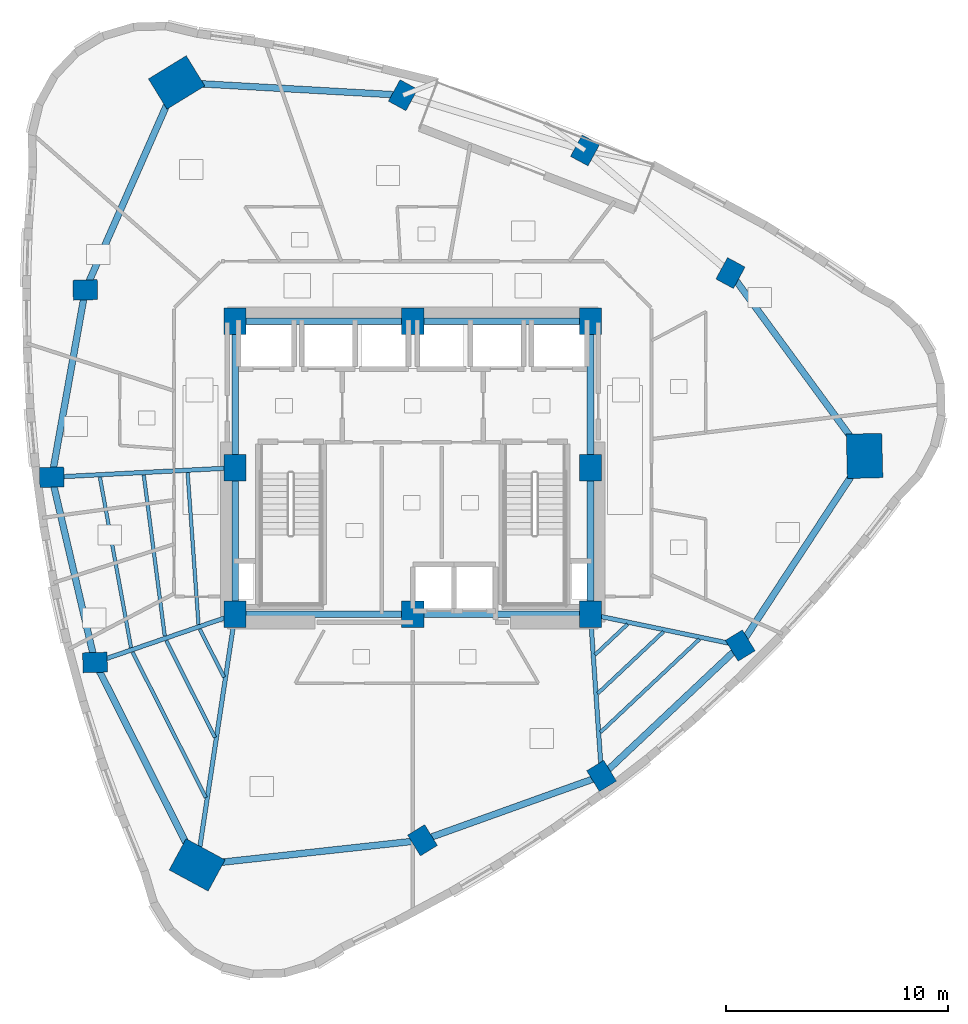
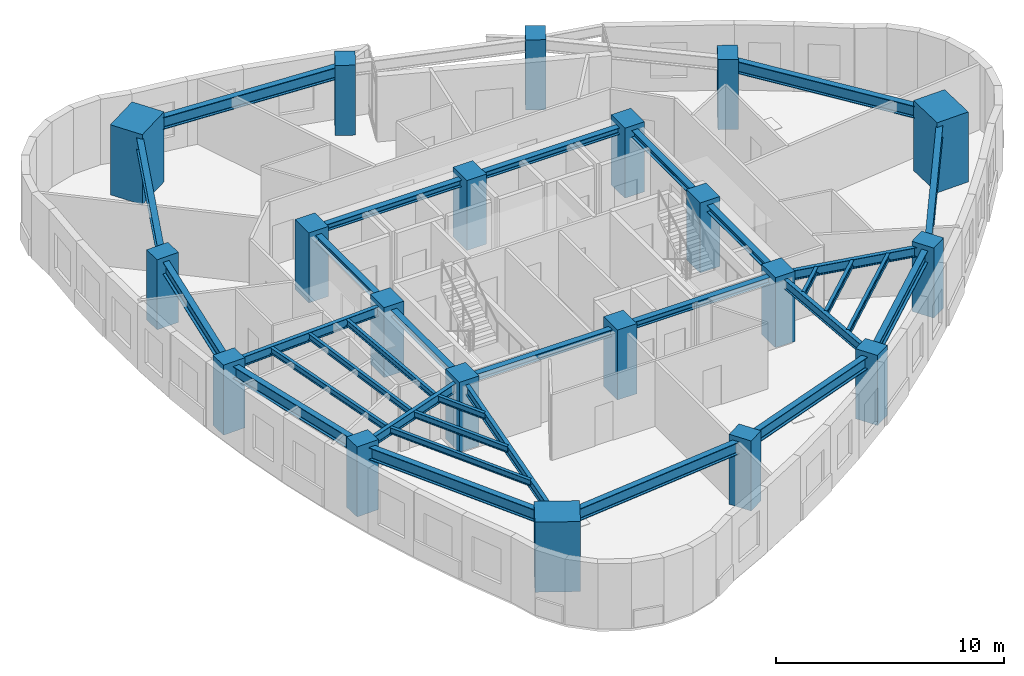
# One storey, part 1 of 12: 32 beams, 20 columns.
"""IFC4 building model written with IfcOpenShell, lengths in metres."""

from ifc_helpers import new_model, si_unit, direction, frame, origin, origin_2d, place, context, subcontext, project, spatial, rectangle, i_section, extrude, material, material_profile, profile_set, type_object, element, save


model = new_model("IFC4")

# Units and contexts
model_context = context("Model", 3, precision=1e-05, world=origin(), true_north=direction((0.0, 1.0)))
body_context = subcontext(model_context, "Body", "Model", "MODEL_VIEW")
ifc_project = project(units=[si_unit("LENGTHUNIT", "METRE"), si_unit("AREAUNIT", "SQUARE_METRE"), si_unit("VOLUMEUNIT", "CUBIC_METRE"), si_unit("PLANEANGLEUNIT", "RADIAN"), si_unit("MASSUNIT", "GRAM", prefix="KILO")], contexts=[model_context])

# Site, building, storey
site_placement = place(None, origin())
site = spatial("IfcSite", under=ifc_project, at=site_placement, CompositionType="ELEMENT")
building_placement = place(site_placement, origin())
building = spatial("IfcBuilding", under=site, at=building_placement, Name="Ndelora Gate Hotel", CompositionType="ELEMENT")
storey_placement = place(building_placement, frame((0.0, 0.0, 153.5)))
storey = spatial("IfcBuildingStorey", under=building, at=storey_placement, Name="L38", CompositionType="ELEMENT", Elevation=153.5)

# Columns
ifc_material_1 = material(Name="Concrete C60/75", Category="concrete")
ifc_material_profile_1 = material_profile(ifc_material_1, rectangle(XDim=1.0, YDim=1.199951171875, at=origin_2d()), Name="RC 1200x1000")
ifc_profile_set_1 = profile_set([ifc_material_profile_1], Name="Concrete C60/75")
column_type_1 = type_object("IfcColumnType", Name="COL-CC-MID", PredefinedType="COLUMN", material=ifc_profile_set_1)
for number, where, z_axis, x_axis, name in (
    (1, (-8.0, -6.60009765625, 0.0), (0.0, 0.0, 1.0), (1.0, 0.0, 0.0), "L38 Core Column CC1"),
    (2, (0.0, -6.60009765625, 0.0), (0.0, 0.0, 1.0), (1.0, 0.0, 0.0), "L38 Core Column CC2"),
    (3, (8.0, -6.60009765625, 0.0), (0.0, 0.0, 1.0), (1.0, 0.0, 0.0), "L38 Core Column CC3"),
    (4, (8.0, 0.0, 0.0), (0.0, 0.0, 1.0), (1.0, 0.0, 0.0), "L38 Core Column CC4"),
    (5, (8.0, 6.60009765625, 0.0), (0.0, 0.0, 1.0), (1.0, 0.0, 0.0), "L38 Core Column CC5"),
    (6, (0.0, 6.60009765625, 0.0), (0.0, 0.0, 1.0), (1.0, 0.0, 0.0), "L38 Core Column CC6"),
    (7, (-8.0, 6.60009765625, 0.0), (0.0, 0.0, 1.0), (1.0, 0.0, 0.0), "L38 Core Column CC7"),
    (8, (-8.0, 0.0, 0.0), (0.0, 0.0, 1.0), (1.0, 0.0, 0.0), "L38 Core Column CC8"),
):
    element("IfcColumn", number, at=place(storey_placement, frame(where, z_axis=z_axis, x_axis=x_axis)), inside=storey, type_object=column_type_1, Name=name, PredefinedType="COLUMN", context=body_context, shape_type="SweptSolid", body=[
        extrude(rectangle(XDim=1.0, YDim=1.199951171875, at=origin_2d()), origin(), (0.0, 0.0, 1.0), 3.75),
    ])
ifc_material_profile_2 = material_profile(ifc_material_1, rectangle(XDim=1.60009765625, YDim=2.0, at=origin_2d()), Name="RC 2000x1600")
ifc_profile_set_2 = profile_set([ifc_material_profile_2], Name="Concrete C60/75")
column_type_2 = type_object("IfcColumnType", Name="COL-MC-Z2", PredefinedType="COLUMN", material=ifc_profile_set_2)
for number, where, z_axis, x_axis, name in (
    (9, (-10.63330078125, 17.351806640625, 0.0), (0.0, 0.0, 1.0), (-0.522498564716, 0.852640164354, 0.0), "L38 Corner Mega-Column R1"),
    (10, (-9.71044921875, -17.884521484375, 0.0), (0.0, 0.0, 1.0), (0.47715876026, 0.878817112662, 0.0), "L38 Corner Mega-Column R5"),
    (11, (20.34375, 0.53271484375, 0.0), (0.0, 0.0, 1.0), (0.999657324976, 0.026176948308, 0.0), "L38 Corner Mega-Column R9"),
):
    element("IfcColumn", number, at=place(storey_placement, frame(where, z_axis=z_axis, x_axis=x_axis)), inside=storey, type_object=column_type_2, Name=name, PredefinedType="COLUMN", context=body_context, shape_type="SweptSolid", body=[
        extrude(rectangle(XDim=1.60009765625, YDim=2.0, at=origin_2d()), origin(), (0.0, 0.0, 1.0), 3.75),
    ])
ifc_material_profile_3 = material_profile(ifc_material_1, rectangle(XDim=0.89990234375, YDim=1.10009765625, at=origin_2d()), Name="RC 1100x900")
ifc_profile_set_3 = profile_set([ifc_material_profile_3], Name="Concrete C60/75")
column_type_3 = type_object("IfcColumnType", Name="COL-PT-Z2", PredefinedType="COLUMN", material=ifc_profile_set_3)
for number, where, z_axis, x_axis, name in (
    (12, (-14.74658203125, 8.006591796875, 0.0), (0.0, 0.0, 1.0), (-0.026176948308, 0.999657324976, 0.0), "L38 Perimeter Tube Column R2"),
    (13, (-16.25537109375, -0.42578125, 0.0), (0.0, 0.0, 1.0), (-0.026176948308, 0.999657324976, 0.0), "L38 Perimeter Tube Column R3"),
    (14, (-14.307373046875, -8.767578125, 0.0), (0.0, 0.0, 1.0), (-0.026176948308, 0.999657324976, 0.0), "L38 Perimeter Tube Column R4"),
    (15, (0.439208984375, -16.7744140625, 0.0), (0.0, 0.0, 1.0), (0.852640164354, 0.522498564716, 0.0), "L38 Perimeter Tube Column R6"),
    (16, (8.50439453125, -13.878173828125, 0.0), (0.0, 0.0, 1.0), (0.852640164354, 0.522498564716, 0.0), "L38 Perimeter Tube Column R7"),
    (17, (14.74658203125, -8.006591796875, 0.0), (0.0, 0.0, 1.0), (0.852640164354, 0.522498564716, 0.0), "L38 Perimeter Tube Column R8"),
    (18, (14.30712890625, 8.767333984375, 0.0), (0.0, 0.0, 1.0), (-0.878817112662, 0.47715876026, 0.0), "L38 Perimeter Tube Column R10"),
    (19, (7.759033203125, 14.290283203125, 0.0), (0.0, 0.0, 1.0), (-0.878817112662, 0.47715876026, 0.0), "L38 Perimeter Tube Column R11"),
    (20, (-0.439208984375, 16.7744140625, 0.0), (0.0, 0.0, 1.0), (-0.878817112662, 0.47715876026, 0.0), "L38 Perimeter Tube Column R12"),
):
    element("IfcColumn", number, at=place(storey_placement, frame(where, z_axis=z_axis, x_axis=x_axis)), inside=storey, type_object=column_type_3, Name=name, PredefinedType="COLUMN", context=body_context, shape_type="SweptSolid", body=[
        extrude(rectangle(XDim=0.89990234375, YDim=1.10009765625, at=origin_2d()), origin(), (0.0, 0.0, 1.0), 3.75),
    ])

# Beams
ifc_material_2 = material(Name="Steel S355", Category="steel")
ifc_material_profile_4 = material_profile(ifc_material_2, i_section(OverallWidth=0.300048828125, OverallDepth=0.360107421875, WebThickness=0.012451171875, FlangeThickness=0.0224609375, FilletRadius=0.027099609375, at=origin_2d()), Name="HEB 360")
ifc_profile_set_4 = profile_set([ifc_material_profile_4], Name="Steel S355")
beam_type_1 = type_object("IfcBeamType", Name="BM-CORE-360", PredefinedType="BEAM", material=ifc_profile_set_4)
for number, where, z_axis, x_axis, name in (
    (21, (-8.0, 6.60009765625, 3.320068359375), (1.0, 0.0, 0.0), (0.0, 1.0, 0.0), "L38 Core Tie Girder CC7-CC6"),
    (22, (0.0, 6.60009765625, 3.320068359375), (1.0, 0.0, 0.0), (0.0, 1.0, 0.0), "L38 Core Tie Girder CC6-CC5"),
):
    element("IfcBeam", number, at=place(storey_placement, frame(where, z_axis=z_axis, x_axis=x_axis)), inside=storey, type_object=beam_type_1, Name=name, PredefinedType="BEAM", context=body_context, shape_type="SweptSolid", body=[
        extrude(i_section(OverallWidth=0.300048828125, OverallDepth=0.360107421875, WebThickness=0.012451171875, FlangeThickness=0.0224609375, FilletRadius=0.027099609375, at=origin_2d()), origin(), (0.0, 0.0, 1.0), 8.0),
    ])
for number, where, z_axis, x_axis, name in (
    (23, (-8.0, -6.60009765625, 3.320068359375), (0.0, 1.0, 0.0), (-1.0, 0.0, 0.0), "L38 Core Tie Girder CC1-CC8"),
    (24, (-8.0, 0.0, 3.320068359375), (0.0, 1.0, 0.0), (-1.0, 0.0, 0.0), "L38 Core Tie Girder CC8-CC7"),
    (25, (8.0, -6.60009765625, 3.320068359375), (0.0, 1.0, 0.0), (-1.0, 0.0, 0.0), "L38 Core Tie Girder CC3-CC4"),
    (26, (8.0, 0.0, 3.320068359375), (0.0, 1.0, 0.0), (-1.0, 0.0, 0.0), "L38 Core Tie Girder CC4-CC5"),
):
    element("IfcBeam", number, at=place(storey_placement, frame(where, z_axis=z_axis, x_axis=x_axis)), inside=storey, type_object=beam_type_1, Name=name, PredefinedType="BEAM", context=body_context, shape_type="SweptSolid", body=[
        extrude(i_section(OverallWidth=0.300048828125, OverallDepth=0.360107421875, WebThickness=0.012451171875, FlangeThickness=0.0224609375, FilletRadius=0.027099609375, at=origin_2d()), origin(), (0.0, 0.0, 1.0), 6.60009765625),
    ])
for number, where, z_axis, x_axis, name in (
    (27, (-8.0, -6.60009765625, 3.320068359375), (1.0, 0.0, 0.0), (0.0, 1.0, 0.0), "L38 Core Tie Girder CC1-CC2"),
    (28, (0.0, -6.60009765625, 3.320068359375), (1.0, 0.0, 0.0), (0.0, 1.0, 0.0), "L38 Core Tie Girder CC2-CC3"),
):
    element("IfcBeam", number, at=place(storey_placement, frame(where, z_axis=z_axis, x_axis=x_axis)), inside=storey, type_object=beam_type_1, Name=name, PredefinedType="BEAM", context=body_context, shape_type="SweptSolid", body=[
        extrude(i_section(OverallWidth=0.300048828125, OverallDepth=0.360107421875, WebThickness=0.012451171875, FlangeThickness=0.0224609375, FilletRadius=0.027099609375, at=origin_2d()), origin(), (0.0, 0.0, 1.0), 8.0),
    ])
ifc_material_profile_5 = material_profile(ifc_material_2, i_section(OverallWidth=0.159912109375, OverallDepth=0.330078125, WebThickness=0.007568359375, FlangeThickness=0.011474609375, FilletRadius=0.01806640625, at=origin_2d()), Name="IPE 330")
ifc_profile_set_5 = profile_set([ifc_material_profile_5], Name="Steel S355")
beam_type_2 = type_object("IfcBeamType", Name="BM-JST-330", PredefinedType="JOIST", material=ifc_profile_set_5)
beam_1_placement = place(storey_placement, frame((-10.138427734375, -0.220458984375, 3.3349609375), z_axis=(0.07162945927, -0.997431311201, 0.0), x_axis=(0.997431311201, 0.07162945927, 0.0)))
element("IfcBeam", 29, at=beam_1_placement, inside=storey, type_object=beam_type_2, Name="L38 Secondary Composite Floor Joist IN-3", PredefinedType="JOIST", context=body_context, shape_type="SweptSolid", body=[
    extrude(i_section(OverallWidth=0.159912109375, OverallDepth=0.330078125, WebThickness=0.007568359375, FlangeThickness=0.011474609375, FilletRadius=0.01806640625, at=origin_2d()), origin(), (0.0, 0.0, 1.0), 6.850830078125),
])
beam_2_placement = place(storey_placement, frame((-12.113525390625, -0.322021484375, 3.3349609375), z_axis=(0.12927924943, -0.991608226906, 0.0), x_axis=(0.991608226906, 0.12927924943, 0.0)))
element("IfcBeam", 30, at=beam_2_placement, inside=storey, type_object=beam_type_2, Name="L38 Secondary Composite Floor Joist MID-3", PredefinedType="JOIST", context=body_context, shape_type="SweptSolid", body=[
    extrude(i_section(OverallWidth=0.159912109375, OverallDepth=0.330078125, WebThickness=0.007568359375, FlangeThickness=0.011474609375, FilletRadius=0.01806640625, at=origin_2d()), origin(), (0.0, 0.0, 1.0), 7.31396484375),
])
beam_3_placement = place(storey_placement, frame((-14.089111328125, -0.423095703125, 3.3349609375), z_axis=(0.179733770179, -0.983715290039, 0.0), x_axis=(0.983715290039, 0.179733770179, 0.0)))
element("IfcBeam", 31, at=beam_3_placement, inside=storey, type_object=beam_type_2, Name="L38 Secondary Composite Floor Joist OUT-3", PredefinedType="JOIST", context=body_context, shape_type="SweptSolid", body=[
    extrude(i_section(OverallWidth=0.159912109375, OverallDepth=0.330078125, WebThickness=0.007568359375, FlangeThickness=0.011474609375, FilletRadius=0.01806640625, at=origin_2d()), origin(), (0.0, 0.0, 1.0), 7.799560546875),
])
beam_4_placement = place(storey_placement, frame((-9.59033203125, -7.26171875, 3.3349609375), z_axis=(0.450139260243, -0.892958367668, 0.0), x_axis=(0.892958367668, 0.450139260243, 0.0)))
element("IfcBeam", 32, at=beam_4_placement, inside=storey, type_object=beam_type_2, Name="L38 Secondary Composite Floor Joist IN-4", PredefinedType="JOIST", context=body_context, shape_type="SweptSolid", body=[
    extrude(i_section(OverallWidth=0.159912109375, OverallDepth=0.330078125, WebThickness=0.007568359375, FlangeThickness=0.011474609375, FilletRadius=0.01806640625, at=origin_2d()), origin(), (0.0, 0.0, 1.0), 2.4345703125),
])
beam_5_placement = place(storey_placement, frame((-11.10400390625, -7.781982421875, 3.3349609375), z_axis=(0.450189724408, -0.892932926953, 0.0), x_axis=(0.892932926953, 0.450189724408, 0.0)))
element("IfcBeam", 33, at=beam_5_placement, inside=storey, type_object=beam_type_2, Name="L38 Secondary Composite Floor Joist MID-4", PredefinedType="JOIST", context=body_context, shape_type="SweptSolid", body=[
    extrude(i_section(OverallWidth=0.159912109375, OverallDepth=0.330078125, WebThickness=0.007568359375, FlangeThickness=0.011474609375, FilletRadius=0.01806640625, at=origin_2d()), origin(), (0.0, 0.0, 1.0), 4.885009765625),
])
beam_6_placement = place(storey_placement, frame((-12.617919921875, -8.30224609375, 3.3349609375), z_axis=(0.45023300903, -0.892911102843, 0.0), x_axis=(0.892911102843, 0.45023300903, 0.0)))
element("IfcBeam", 34, at=beam_6_placement, inside=storey, type_object=beam_type_2, Name="L38 Secondary Composite Floor Joist OUT-4", PredefinedType="JOIST", context=body_context, shape_type="SweptSolid", body=[
    extrude(i_section(OverallWidth=0.159912109375, OverallDepth=0.330078125, WebThickness=0.007568359375, FlangeThickness=0.011474609375, FilletRadius=0.01806640625, at=origin_2d()), origin(), (0.0, 0.0, 1.0), 7.335693359375),
])
beam_7_placement = place(storey_placement, frame((8.211181640625, -8.4169921875, 3.3349609375), z_axis=(0.728414088998, 0.685137150466, 0.0), x_axis=(-0.685137150466, 0.728414088998, 0.0)))
element("IfcBeam", 35, at=beam_7_placement, inside=storey, type_object=beam_type_2, Name="L38 Secondary Composite Floor Joist IN-7", PredefinedType="JOIST", context=body_context, shape_type="SweptSolid", body=[
    extrude(i_section(OverallWidth=0.159912109375, OverallDepth=0.330078125, WebThickness=0.007568359375, FlangeThickness=0.011474609375, FilletRadius=0.01806640625, at=origin_2d()), origin(), (0.0, 0.0, 1.0), 2.00830078125),
])
beam_8_placement = place(storey_placement, frame((8.33251953125, -10.163818359375, 3.3349609375), z_axis=(0.728369245526, 0.685184823366, 0.0), x_axis=(-0.685184823366, 0.728369245526, 0.0)))
element("IfcBeam", 36, at=beam_8_placement, inside=storey, type_object=beam_type_2, Name="L38 Secondary Composite Floor Joist MID-7", PredefinedType="JOIST", context=body_context, shape_type="SweptSolid", body=[
    extrude(i_section(OverallWidth=0.159912109375, OverallDepth=0.330078125, WebThickness=0.007568359375, FlangeThickness=0.011474609375, FilletRadius=0.01806640625, at=origin_2d()), origin(), (0.0, 0.0, 1.0), 4.06494140625),
])
beam_9_placement = place(storey_placement, frame((8.45361328125, -11.910400390625, 3.3349609375), z_axis=(0.728393161111, 0.68515939959, 0.0), x_axis=(-0.68515939959, 0.728393161111, 0.0)))
element("IfcBeam", 37, at=beam_9_placement, inside=storey, type_object=beam_type_2, Name="L38 Secondary Composite Floor Joist OUT-7", PredefinedType="JOIST", context=body_context, shape_type="SweptSolid", body=[
    extrude(i_section(OverallWidth=0.159912109375, OverallDepth=0.330078125, WebThickness=0.007568359375, FlangeThickness=0.011474609375, FilletRadius=0.01806640625, at=origin_2d()), origin(), (0.0, 0.0, 1.0), 6.121337890625),
])
ifc_material_profile_6 = material_profile(ifc_material_2, i_section(OverallWidth=0.199951171875, OverallDepth=0.5, WebThickness=0.01025390625, FlangeThickness=0.01611328125, FilletRadius=0.02099609375, at=origin_2d()), Name="IPE 500")
ifc_profile_set_6 = profile_set([ifc_material_profile_6], Name="Steel S355")
beam_type_3 = type_object("IfcBeamType", Name="BM-RAD-500", PredefinedType="BEAM", material=ifc_profile_set_6)
beam_10_placement = place(storey_placement, frame((-8.0, 0.0, 3.25), z_axis=(-0.998672591881, -0.051507807424, 0.0), x_axis=(0.051507807424, -0.998672591881, 0.0)))
element("IfcBeam", 38, at=beam_10_placement, inside=storey, type_object=beam_type_3, Name="L38 Radial Floor Girder 3", PredefinedType="BEAM", context=body_context, shape_type="SweptSolid", body=[
    extrude(i_section(OverallWidth=0.199951171875, OverallDepth=0.5, WebThickness=0.01025390625, FlangeThickness=0.01611328125, FilletRadius=0.02099609375, at=origin_2d()), origin(), (0.0, 0.0, 1.0), 8.266357421875),
])
beam_11_placement = place(storey_placement, frame((-8.0, -6.60009765625, 3.25), z_axis=(-0.945717893913, -0.324988715392, 0.0), x_axis=(0.324988715392, -0.945717893913, 0.0)))
element("IfcBeam", 39, at=beam_11_placement, inside=storey, type_object=beam_type_3, Name="L38 Radial Floor Girder 4", PredefinedType="BEAM", context=body_context, shape_type="SweptSolid", body=[
    extrude(i_section(OverallWidth=0.199951171875, OverallDepth=0.5, WebThickness=0.01025390625, FlangeThickness=0.01611328125, FilletRadius=0.02099609375, at=origin_2d()), origin(), (0.0, 0.0, 1.0), 6.66943359375),
])
beam_12_placement = place(storey_placement, frame((-8.0, -6.60009765625, 3.25), z_axis=(-0.149864309615, -0.988706573612, 0.0), x_axis=(0.988706573612, -0.149864309615, 0.0)))
element("IfcBeam", 40, at=beam_12_placement, inside=storey, type_object=beam_type_3, Name="L38 Radial Floor Girder 5", PredefinedType="BEAM", context=body_context, shape_type="SweptSolid", body=[
    extrude(i_section(OverallWidth=0.199951171875, OverallDepth=0.5, WebThickness=0.01025390625, FlangeThickness=0.01611328125, FilletRadius=0.02099609375, at=origin_2d()), origin(), (0.0, 0.0, 1.0), 11.413330078125),
])
beam_13_placement = place(storey_placement, frame((8.0, -6.60009765625, 3.25), z_axis=(0.069137444551, -0.997607144001, 0.0), x_axis=(0.997607144001, 0.069137444551, 0.0)))
element("IfcBeam", 41, at=beam_13_placement, inside=storey, type_object=beam_type_3, Name="L38 Radial Floor Girder 7", PredefinedType="BEAM", context=body_context, shape_type="SweptSolid", body=[
    extrude(i_section(OverallWidth=0.199951171875, OverallDepth=0.5, WebThickness=0.01025390625, FlangeThickness=0.01611328125, FilletRadius=0.02099609375, at=origin_2d()), origin(), (0.0, 0.0, 1.0), 7.295654296875),
])
beam_14_placement = place(storey_placement, frame((8.0, -6.60009765625, 3.25), z_axis=(0.978952706778, -0.204087231083, 0.0), x_axis=(0.204087231083, 0.978952706778, 0.0)))
element("IfcBeam", 42, at=beam_14_placement, inside=storey, type_object=beam_type_3, Name="L38 Radial Floor Girder 8", PredefinedType="BEAM", context=body_context, shape_type="SweptSolid", body=[
    extrude(i_section(OverallWidth=0.199951171875, OverallDepth=0.5, WebThickness=0.01025390625, FlangeThickness=0.01611328125, FilletRadius=0.02099609375, at=origin_2d()), origin(), (0.0, 0.0, 1.0), 6.8916015625),
])
ifc_material_profile_7 = material_profile(ifc_material_2, i_section(OverallWidth=0.300048828125, OverallDepth=0.64990234375, WebThickness=0.01611328125, FlangeThickness=0.031005859375, FilletRadius=0.027099609375, at=origin_2d()), Name="HEB 650")
ifc_profile_set_7 = profile_set([ifc_material_profile_7], Name="Steel S355")
beam_type_4 = type_object("IfcBeamType", Name="BM-RING-650", PredefinedType="SPANDREL", material=ifc_profile_set_7)
beam_15_placement = place(storey_placement, frame((-10.63330078125, 17.351806640625, 3.175048828125), z_axis=(-0.402852396707, -0.915264959707, 0.0), x_axis=(0.915264959707, -0.402852396707, 0.0)))
element("IfcBeam", 43, at=beam_15_placement, inside=storey, type_object=beam_type_4, Name="L38 Perimeter Spandrel Girder 1", PredefinedType="SPANDREL", context=body_context, shape_type="SweptSolid", body=[
    extrude(i_section(OverallWidth=0.300048828125, OverallDepth=0.64990234375, WebThickness=0.01611328125, FlangeThickness=0.031005859375, FilletRadius=0.027099609375, at=origin_2d()), origin(), (0.0, 0.0, 1.0), 10.21044921875),
])
beam_16_placement = place(storey_placement, frame((-14.74658203125, 8.006591796875, 3.175048828125), z_axis=(-0.176130938817, -0.984366746894, 0.0), x_axis=(0.984366746894, -0.176130938817, 0.0)))
element("IfcBeam", 44, at=beam_16_placement, inside=storey, type_object=beam_type_4, Name="L38 Perimeter Spandrel Girder 2", PredefinedType="SPANDREL", context=body_context, shape_type="SweptSolid", body=[
    extrude(i_section(OverallWidth=0.300048828125, OverallDepth=0.64990234375, WebThickness=0.01611328125, FlangeThickness=0.031005859375, FilletRadius=0.027099609375, at=origin_2d()), origin(), (0.0, 0.0, 1.0), 8.56640625),
])
beam_17_placement = place(storey_placement, frame((-16.25537109375, -0.42578125, 3.175048828125), z_axis=(0.227404398157, -0.973800410607, 0.0), x_axis=(0.973800410607, 0.227404398157, 0.0)))
element("IfcBeam", 45, at=beam_17_placement, inside=storey, type_object=beam_type_4, Name="L38 Perimeter Spandrel Girder 3", PredefinedType="SPANDREL", context=body_context, shape_type="SweptSolid", body=[
    extrude(i_section(OverallWidth=0.300048828125, OverallDepth=0.64990234375, WebThickness=0.01611328125, FlangeThickness=0.031005859375, FilletRadius=0.027099609375, at=origin_2d()), origin(), (0.0, 0.0, 1.0), 8.566162109375),
])
for number, where, z_axis, x_axis, name in (
    (46, (-14.307373046875, -8.767578125, 3.175048828125), (0.450223868811, -0.892915711561, 0.0), (0.892915711561, 0.450223868811, 0.0), "L38 Perimeter Spandrel Girder 4"),
    (47, (-9.71044921875, -17.884521484375, 3.175048828125), (0.994071812898, 0.108725483685, 0.0), (-0.108725483685, 0.994071812898, 0.0), "L38 Perimeter Spandrel Girder 5"),
):
    element("IfcBeam", number, at=place(storey_placement, frame(where, z_axis=z_axis, x_axis=x_axis)), inside=storey, type_object=beam_type_4, Name=name, PredefinedType="SPANDREL", context=body_context, shape_type="SweptSolid", body=[
        extrude(i_section(OverallWidth=0.300048828125, OverallDepth=0.64990234375, WebThickness=0.01611328125, FlangeThickness=0.031005859375, FilletRadius=0.027099609375, at=origin_2d()), origin(), (0.0, 0.0, 1.0), 10.210205078125),
    ])
beam_18_placement = place(storey_placement, frame((0.439208984375, -16.7744140625, 3.175048828125), z_axis=(0.941155870835, 0.337972819607, 0.0), x_axis=(-0.337972819607, 0.941155870835, 0.0)))
element("IfcBeam", 48, at=beam_18_placement, inside=storey, type_object=beam_type_4, Name="L38 Perimeter Spandrel Girder 6", PredefinedType="SPANDREL", context=body_context, shape_type="SweptSolid", body=[
    extrude(i_section(OverallWidth=0.300048828125, OverallDepth=0.64990234375, WebThickness=0.01611328125, FlangeThickness=0.031005859375, FilletRadius=0.027099609375, at=origin_2d()), origin(), (0.0, 0.0, 1.0), 8.5693359375),
])
beam_19_placement = place(storey_placement, frame((8.50439453125, -13.878173828125, 3.175048828125), z_axis=(0.728399016952, 0.68515317419, 0.0), x_axis=(-0.68515317419, 0.728399016952, 0.0)))
element("IfcBeam", 49, at=beam_19_placement, inside=storey, type_object=beam_type_4, Name="L38 Perimeter Spandrel Girder 7", PredefinedType="SPANDREL", context=body_context, shape_type="SweptSolid", body=[
    extrude(i_section(OverallWidth=0.300048828125, OverallDepth=0.64990234375, WebThickness=0.01611328125, FlangeThickness=0.031005859375, FilletRadius=0.027099609375, at=origin_2d()), origin(), (0.0, 0.0, 1.0), 8.56982421875),
])
for number, where, z_axis, x_axis, name in (
    (50, (14.74658203125, -8.006591796875, 3.175048828125), (0.548194123818, 0.836351123998, 0.0), (-0.836351123998, 0.548194123818, 0.0), "L38 Perimeter Spandrel Girder 8"),
    (51, (20.34375, 0.53271484375, 3.175048828125), (-0.591229932094, 0.806503048597, 0.0), (-0.806503048597, -0.591229932094, 0.0), "L38 Perimeter Spandrel Girder 9"),
):
    element("IfcBeam", number, at=place(storey_placement, frame(where, z_axis=z_axis, x_axis=x_axis)), inside=storey, type_object=beam_type_4, Name=name, PredefinedType="SPANDREL", context=body_context, shape_type="SweptSolid", body=[
        extrude(i_section(OverallWidth=0.300048828125, OverallDepth=0.64990234375, WebThickness=0.01611328125, FlangeThickness=0.031005859375, FilletRadius=0.027099609375, at=origin_2d()), origin(), (0.0, 0.0, 1.0), 10.210205078125),
    ])
beam_20_placement = place(storey_placement, frame((-0.439208984375, 16.7744140625, 3.175048828125), z_axis=(-0.998399808671, 0.056549288648, 0.0), x_axis=(-0.056549288648, -0.998399808671, 0.0)))
element("IfcBeam", 52, at=beam_20_placement, inside=storey, type_object=beam_type_4, Name="L38 Perimeter Spandrel Girder 12", PredefinedType="SPANDREL", context=body_context, shape_type="SweptSolid", body=[
    extrude(i_section(OverallWidth=0.300048828125, OverallDepth=0.64990234375, WebThickness=0.01611328125, FlangeThickness=0.031005859375, FilletRadius=0.027099609375, at=origin_2d()), origin(), (0.0, 0.0, 1.0), 10.21044921875),
])

save(model, "model.ifc")
